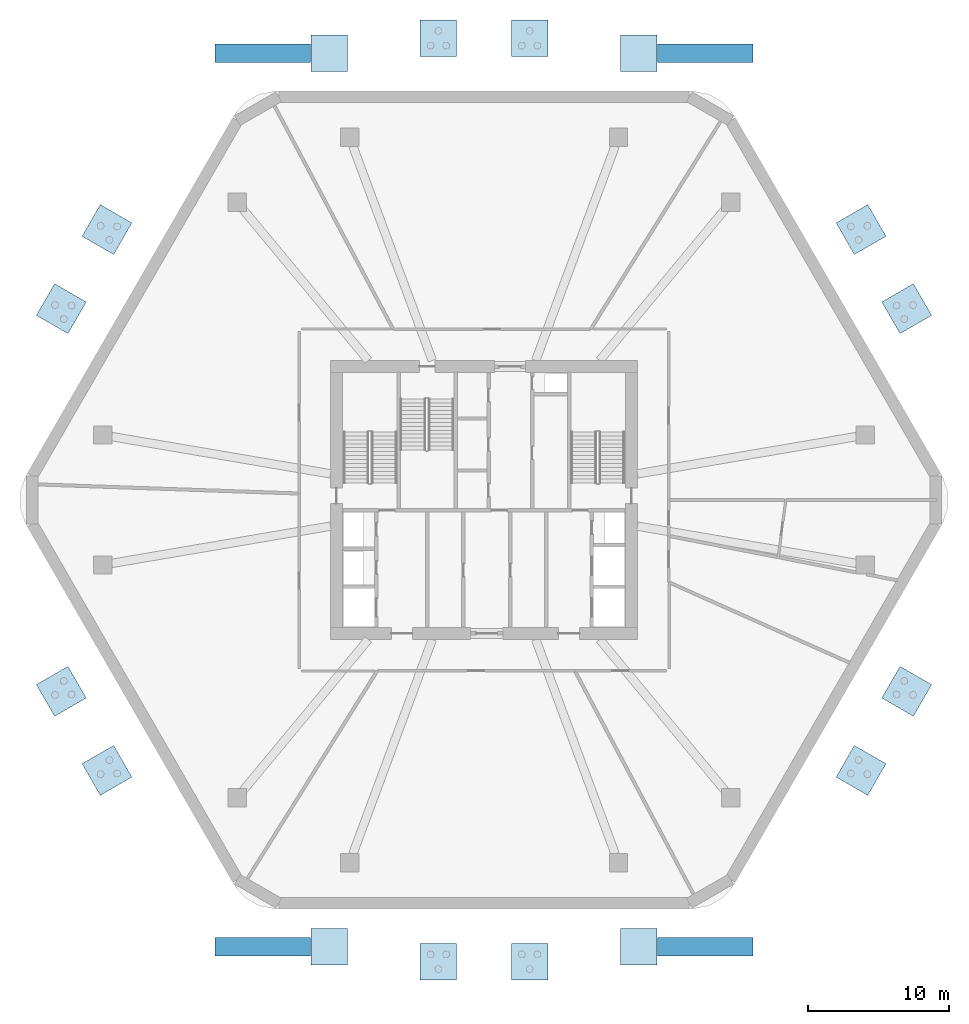
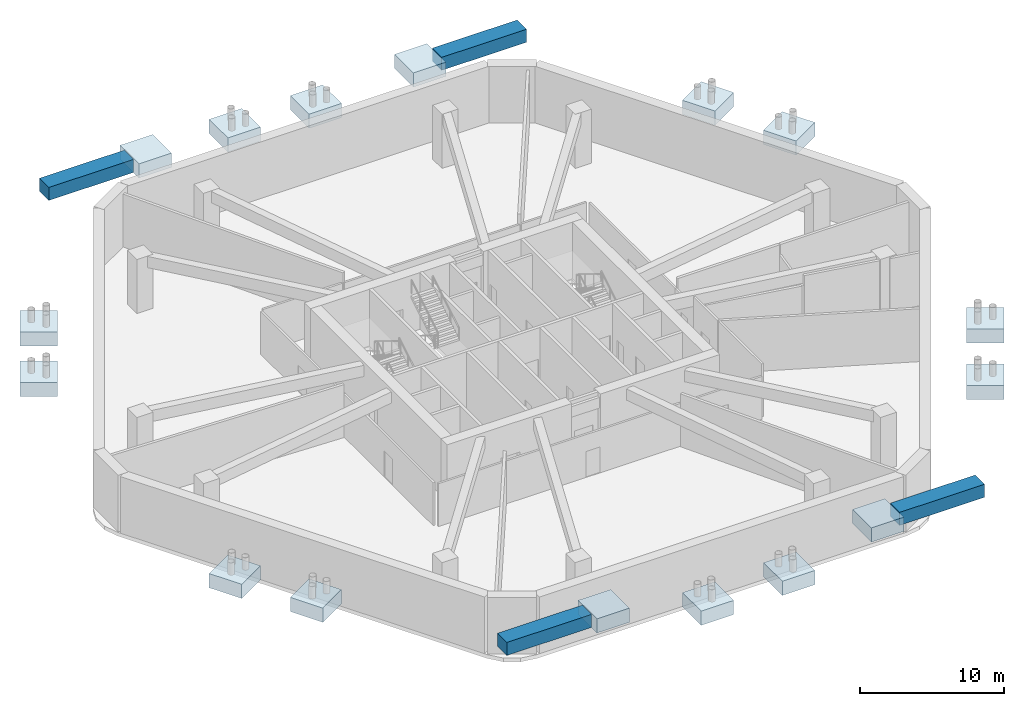
# One storey, part 1 of 10: 20 footings.
"""IFC4 building model written with IfcOpenShell, lengths in metres."""

import ifcopenshell
import ifcopenshell.guid

model = None  # the IFC model being written
_history = None  # IfcOwnerHistory: only IFC2X3 demands one
_inside = {}  # id of a spatial element -> (the spatial element, [elements in it])
_under = {}  # id of a project, library or spatial element -> (it, [spatial elements below it])
_declared = {}  # id of a project -> (the project, [libraries it declares])
_typed = {}  # id of a type object -> (the type object, [elements of that type])
_made_of = {}  # id of a material, layer set ... -> (it, [elements and type objects made of it])


def new_model(schema):
    """Start an empty IFC model of exactly this schema.

    Asked for "IFC4X3", IfcOpenShell would pick the latest addendum, in which some entities
    have other attributes; the version numbers below select the first issue.
    IFC2X3 requires an IfcOwnerHistory on every rooted entity: one is made here for all.
    """
    global model, _history
    if schema == "IFC4X3":
        model = ifcopenshell.file(schema_version=(4, 3, 0, 0))
    else:
        model = ifcopenshell.file(schema=schema)
    _inside.clear()
    _under.clear()
    _declared.clear()
    _typed.clear()
    _made_of.clear()
    _history = None
    if model.schema == "IFC2X3":
        org = make("IfcOrganization", Name="unknown")
        user = make(
            "IfcPersonAndOrganization",
            ThePerson=make("IfcPerson", FamilyName="unknown"),
            TheOrganization=org,
        )
        app = make(
            "IfcApplication",
            ApplicationDeveloper=org,
            Version="unknown",
            ApplicationFullName="unknown",
            ApplicationIdentifier="unknown",
        )
        _history = make(
            "IfcOwnerHistory",
            OwningUser=user,
            OwningApplication=app,
            ChangeAction="ADDED",
            CreationDate=0,
        )
    return model


def make(cls, **values):
    """One entity of the class cls with the attributes given. An attribute that is None is left unset."""
    return model.create_entity(
        cls, **{name: value for name, value in values.items() if value is not None}
    )


def rooted(cls, **values):
    """An entity with a GlobalId (a new one), such as an element, a storey or a relation."""
    return make(cls, GlobalId=ifcopenshell.guid.new(), OwnerHistory=_history, **values)


def si_unit(unit_type, name, prefix=None):
    """IfcSIUnit, for example si_unit("LENGTHUNIT", "METRE", prefix="MILLI")."""
    return make("IfcSIUnit", UnitType=unit_type, Prefix=prefix, Name=name)


def assignment(units):
    """IfcUnitAssignment: the units of a project."""
    return None if units is None else make("IfcUnitAssignment", Units=units)


def point(xyz):
    """IfcCartesianPoint."""
    return None if xyz is None else make("IfcCartesianPoint", Coordinates=xyz)


def direction(xyz):
    """IfcDirection."""
    return None if xyz is None else make("IfcDirection", DirectionRatios=xyz)


def frame(location, z_axis=None, x_axis=None):
    """IfcAxis2Placement3D, a coordinate frame: its origin and axes. An axis left out is left unset."""
    return make(
        "IfcAxis2Placement3D",
        Location=point(location),
        Axis=direction(z_axis),
        RefDirection=direction(x_axis),
    )


def frame_2d(location, x_axis=None):
    """IfcAxis2Placement2D, a coordinate frame in the plane: its origin and x axis."""
    return make(
        "IfcAxis2Placement2D", Location=point(location), RefDirection=direction(x_axis)
    )


def origin():
    """The frame at (0, 0, 0) with its axes left unset."""
    return frame((0.0, 0.0, 0.0))


def origin_2d():
    """The frame at (0, 0) in the plane with its x axis left unset."""
    return frame_2d((0.0, 0.0))


def place(relative_to, where):
    """IfcLocalPlacement: puts the frame where relative to a parent placement (None: the world)."""
    return make(
        "IfcLocalPlacement", PlacementRelTo=relative_to, RelativePlacement=where
    )


def context(
    kind, dimensions, precision=None, world=None, true_north=None, identifier=None
):
    """IfcGeometricRepresentationContext, for example the 3D "Model" context."""
    return make(
        "IfcGeometricRepresentationContext",
        ContextIdentifier=identifier,
        ContextType=kind,
        CoordinateSpaceDimension=dimensions,
        Precision=precision,
        WorldCoordinateSystem=world,
        TrueNorth=true_north,
    )


def subcontext(parent, identifier, kind, view, scale=None):
    """IfcGeometricRepresentationSubContext, for example "Body" below "Model"."""
    return make(
        "IfcGeometricRepresentationSubContext",
        ContextIdentifier=identifier,
        ContextType=kind,
        ParentContext=parent,
        TargetScale=scale,
        TargetView=view,
    )


def project(units=None, contexts=None):
    """IfcProject with its units and contexts."""
    return rooted(
        "IfcProject",
        Name="project",
        RepresentationContexts=contexts,
        UnitsInContext=assignment(units),
    )


def spatial(cls, under=None, at=None, **own):
    """A site, building, storey or space (cls), placed at a placement, below another one or the project."""
    s = rooted(cls, ObjectPlacement=at, **own)
    if under is not None:
        _under.setdefault(under.id(), (under, []))[1].append(s)
    return s


def polyline(points):
    """IfcPolyline through the points."""
    return make("IfcPolyline", Points=[point(p) for p in points])


def profile(cls, at=None, kind="AREA", **sizes):
    """A parametric profile (cls). Its sizes go by their IFC names, for example OverallWidth=200.0."""
    return make(cls, ProfileType=kind, Position=at, **sizes)


def rectangle(**sizes):
    """IfcRectangleProfileDef."""
    return profile("IfcRectangleProfileDef", **sizes)


def outline(outer, holes=None, kind="AREA"):
    """IfcArbitraryClosedProfileDef: a profile drawn as a closed curve; with holes, ...WithVoids."""
    if holes is None:
        return make("IfcArbitraryClosedProfileDef", ProfileType=kind, OuterCurve=outer)
    return make(
        "IfcArbitraryProfileDefWithVoids",
        ProfileType=kind,
        OuterCurve=outer,
        InnerCurves=holes,
    )


def extrude(swept, where, along, depth):
    """IfcExtrudedAreaSolid: the profile swept, set in the frame where, extruded along a direction by depth."""
    return make(
        "IfcExtrudedAreaSolid",
        SweptArea=swept,
        Position=where,
        ExtrudedDirection=direction(along),
        Depth=depth,
    )


def shape(context_of_items, identifier, shape_type, items):
    """IfcShapeRepresentation: the items that make up one representation, for example the "Body"."""
    return make(
        "IfcShapeRepresentation",
        ContextOfItems=context_of_items,
        RepresentationIdentifier=identifier,
        RepresentationType=shape_type,
        Items=items,
    )


def material(Name=None, Category=None):
    """IfcMaterial."""
    return make("IfcMaterial", Name=Name, Category=Category)


def made_of(thing, what):
    """Note that an element or type object is made of a material, layer set ...; save() writes the relation."""
    if what is not None:
        _made_of.setdefault(what.id(), (what, []))[1].append(thing)
    return thing


def type_object(cls, material=None, **own):
    """A type object (cls), such as IfcWallType, which elements share."""
    return made_of(rooted(cls, **own), material)


def element(
    cls,
    number,
    at=None,
    inside=None,
    cuts=None,
    type_object=None,
    material=None,
    context=None,
    identifier="Body",
    shape_type=None,
    held_by="IfcProductDefinitionShape",
    body=None,
    shapes=None,
    **own,
):
    """One element of the class cls, such as IfcWall. Its Tag is "e" and its number.

    at: its placement. inside: the storey or other place that contains it. cuts: it is an
    opening in that element (IfcRelVoidsElement). A single representation is given by context,
    identifier, shape_type and body (its items); several are given by shapes. held_by: the class
    of the entity that holds the representations. save() writes the other relations.
    """
    e = rooted(cls, Tag="e%d" % number, ObjectPlacement=at, **own)
    if body is not None:
        shapes = [shape(context, identifier, shape_type, body)]
    if shapes is not None:
        e.Representation = make(held_by, Representations=shapes)
    if inside is not None:
        _inside.setdefault(inside.id(), (inside, []))[1].append(e)
    if cuts is not None:
        rooted(
            "IfcRelVoidsElement", RelatingBuildingElement=cuts, RelatedOpeningElement=e
        )
    if type_object is not None:
        _typed.setdefault(type_object.id(), (type_object, []))[1].append(e)
    return made_of(e, material)


def aggregate(whole, parts):
    """IfcRelAggregates: a whole, such as a stair, and the parts it consists of."""
    return rooted("IfcRelAggregates", RelatingObject=whole, RelatedObjects=parts)


def save(model, path):
    """Write the relations noted so far, then the file.

    IfcRelAggregates (storeys below a building ...), IfcRelContainedInSpatialStructure (elements
    in a storey), IfcRelDefinesByType, IfcRelAssociatesMaterial and IfcRelDeclares: one each for
    every whole, place, type object, material and project.
    """
    for whole, parts in _under.values():
        aggregate(whole, parts)
    for where, things in _inside.values():
        rooted(
            "IfcRelContainedInSpatialStructure",
            RelatedElements=things,
            RelatingStructure=where,
        )
    for kind, things in _typed.values():
        rooted("IfcRelDefinesByType", RelatedObjects=things, RelatingType=kind)
    for what, things in _made_of.values():
        rooted("IfcRelAssociatesMaterial", RelatedObjects=things, RelatingMaterial=what)
    for by, libraries in _declared.values():
        rooted("IfcRelDeclares", RelatingContext=by, RelatedDefinitions=libraries)
    model.write(path)


model = new_model("IFC4")

# Units and contexts
model_context = context("Model", 3, precision=1e-05, world=origin(), true_north=direction((0.0, 1.0)))
body_context = subcontext(model_context, "Body", "Model", "MODEL_VIEW")
ifc_project = project(units=[si_unit("LENGTHUNIT", "METRE"), si_unit("AREAUNIT", "SQUARE_METRE"), si_unit("VOLUMEUNIT", "CUBIC_METRE"), si_unit("PLANEANGLEUNIT", "RADIAN"), si_unit("MASSUNIT", "GRAM", prefix="KILO")], contexts=[model_context])

# Site, building, storey
site_placement = place(None, origin())
site = spatial("IfcSite", under=ifc_project, at=site_placement, CompositionType="ELEMENT")
building_placement = place(site_placement, origin())
building = spatial("IfcBuilding", under=site, at=building_placement, Name="Zuhravey Tower", CompositionType="ELEMENT")
storey_placement = place(building_placement, frame((0.0, 0.0, -4.800048828125)))
storey = spatial("IfcBuildingStorey", under=building, at=storey_placement, Name="B01", CompositionType="ELEMENT", Elevation=-4.800048828125)

# Footings
ifc_material = material(Name="Concrete C40/50", Category="concrete")
footing_type_1 = type_object("IfcFootingType", Name="Entrance Canopy Pad 2600x2600", PredefinedType="PAD_FOOTING", material=ifc_material)
for number, where, z_axis, x_axis, name in (
    (1, (25.0, 0.199951171875, 3.3798828125), (0.0, 0.0, 1.0), (1.0, 0.0, 0.0), "B01 Entrance Portico Pad Footing PAD1-S1"),
    (2, (47.0, 0.199951171875, 3.3798828125), (0.0, 0.0, 1.0), (1.0, 0.0, 0.0), "B01 Entrance Portico Pad Footing PAD1-S2"),
    (3, (25.0, 63.800048828125, 3.3798828125), (0.0, 0.0, 1.0), (1.0, 0.0, 0.0), "B01 Entrance Portico Pad Footing PAD1-N1"),
    (4, (47.0, 63.800048828125, 3.3798828125), (0.0, 0.0, 1.0), (1.0, 0.0, 0.0), "B01 Entrance Portico Pad Footing PAD1-N2"),
    (5, (62.83349609375, 51.2451171875, 2.22021484375), (0.0, 0.0, 1.0), (-0.5, 0.866025403784, 0.0), "B01 Ramp 1 TOP Pad Footing"),
    (6, (66.08349609375, 45.615966796875, 1.9599609375), (0.0, 0.0, 1.0), (-0.5, 0.866025403784, 0.0), "B01 Ramp 1 BOT Pad Footing"),
    (7, (32.75, 64.86083984375, 2.22021484375), (0.0, 0.0, 1.0), (-1.0, 0.0, 0.0), "B01 Ramp 2 TOP Pad Footing"),
    (8, (39.25, 64.86083984375, 1.9599609375), (0.0, 0.0, 1.0), (-1.0, 0.0, 0.0), "B01 Ramp 2 BOT Pad Footing"),
    (9, (5.91650390625, 45.615966796875, 2.22021484375), (0.0, 0.0, 1.0), (-0.5, -0.866025403784, 0.0), "B01 Ramp 3 TOP Pad Footing"),
    (10, (9.16650390625, 51.2451171875, 1.9599609375), (0.0, 0.0, 1.0), (-0.5, -0.866025403784, 0.0), "B01 Ramp 3 BOT Pad Footing"),
    (11, (9.16650390625, 12.7548828125, 2.22021484375), (0.0, 0.0, 1.0), (0.5, -0.866025403784, 0.0), "B01 Ramp 4 TOP Pad Footing"),
    (12, (5.91650390625, 18.384033203125, 1.9599609375), (0.0, 0.0, 1.0), (0.5, -0.866025403784, 0.0), "B01 Ramp 4 BOT Pad Footing"),
    (13, (39.25, -0.86083984375, 2.22021484375), (0.0, 0.0, 1.0), (1.0, 0.0, 0.0), "B01 Ramp 5 TOP Pad Footing"),
    (14, (32.75, -0.86083984375, 1.9599609375), (0.0, 0.0, 1.0), (1.0, 0.0, 0.0), "B01 Ramp 5 BOT Pad Footing"),
    (15, (66.08349609375, 18.384033203125, 2.22021484375), (0.0, 0.0, 1.0), (0.5, 0.866025403784, 0.0), "B01 Ramp 6 TOP Pad Footing"),
    (16, (62.83349609375, 12.7548828125, 1.9599609375), (0.0, 0.0, 1.0), (0.5, 0.866025403784, 0.0), "B01 Ramp 6 BOT Pad Footing"),
):
    element("IfcFooting", number, at=place(storey_placement, frame(where, z_axis=z_axis, x_axis=x_axis)), inside=storey, type_object=footing_type_1, Name=name, PredefinedType="PAD_FOOTING", context=body_context, shape_type="SweptSolid", body=[
        extrude(rectangle(XDim=2.60009765625, YDim=2.60009765625, at=origin_2d()), origin(), (0.0, 0.0, 1.0), 1.199951171875),
    ])
footing_type_2 = type_object("IfcFootingType", Name="Substructure Perimeter Strip Footing", PredefinedType="STRIP_FOOTING", material=ifc_material)
footing_1_placement = place(storey_placement, frame((0.0, 0.0, 3.47998046875)))
element("IfcFooting", 17, at=footing_1_placement, inside=storey, type_object=footing_type_2, Name="B01 Plaza Edge Strip Footing SF1-SW", PredefinedType="STRIP_FOOTING", context=body_context, shape_type="SweptSolid", body=[
    extrude(outline(polyline([(16.85009765625, -0.449951171875), (23.64990234375, -0.449951171875), (23.64990234375, 0.85009765625), (16.85009765625, 0.85009765625), (16.85009765625, -0.449951171875)])), origin(), (0.0, 0.0, 1.0), 1.10009765625),
])
footing_2_placement = place(storey_placement, frame((0.0, 0.0, 3.47998046875)))
element("IfcFooting", 18, at=footing_2_placement, inside=storey, type_object=footing_type_2, Name="B01 Plaza Edge Strip Footing SF1-SE", PredefinedType="STRIP_FOOTING", context=body_context, shape_type="SweptSolid", body=[
    extrude(outline(polyline([(48.35009765625, -0.449951171875), (55.14990234375, -0.449951171875), (55.14990234375, 0.85009765625), (48.35009765625, 0.85009765625), (48.35009765625, -0.449951171875)])), origin(), (0.0, 0.0, 1.0), 1.10009765625),
])
footing_3_placement = place(storey_placement, frame((0.0, 0.0, 3.47998046875)))
element("IfcFooting", 19, at=footing_3_placement, inside=storey, type_object=footing_type_2, Name="B01 Plaza Edge Strip Footing SF1-NW", PredefinedType="STRIP_FOOTING", context=body_context, shape_type="SweptSolid", body=[
    extrude(outline(polyline([(16.85009765625, 63.14990234375), (23.64990234375, 63.14990234375), (23.64990234375, 64.449951171875), (16.85009765625, 64.449951171875), (16.85009765625, 63.14990234375)])), origin(), (0.0, 0.0, 1.0), 1.10009765625),
])
footing_4_placement = place(storey_placement, frame((0.0, 0.0, 3.47998046875)))
element("IfcFooting", 20, at=footing_4_placement, inside=storey, type_object=footing_type_2, Name="B01 Plaza Edge Strip Footing SF1-NE", PredefinedType="STRIP_FOOTING", context=body_context, shape_type="SweptSolid", body=[
    extrude(outline(polyline([(48.35009765625, 63.14990234375), (55.14990234375, 63.14990234375), (55.14990234375, 64.449951171875), (48.35009765625, 64.449951171875), (48.35009765625, 63.14990234375)])), origin(), (0.0, 0.0, 1.0), 1.10009765625),
])

save(model, "model.ifc")
